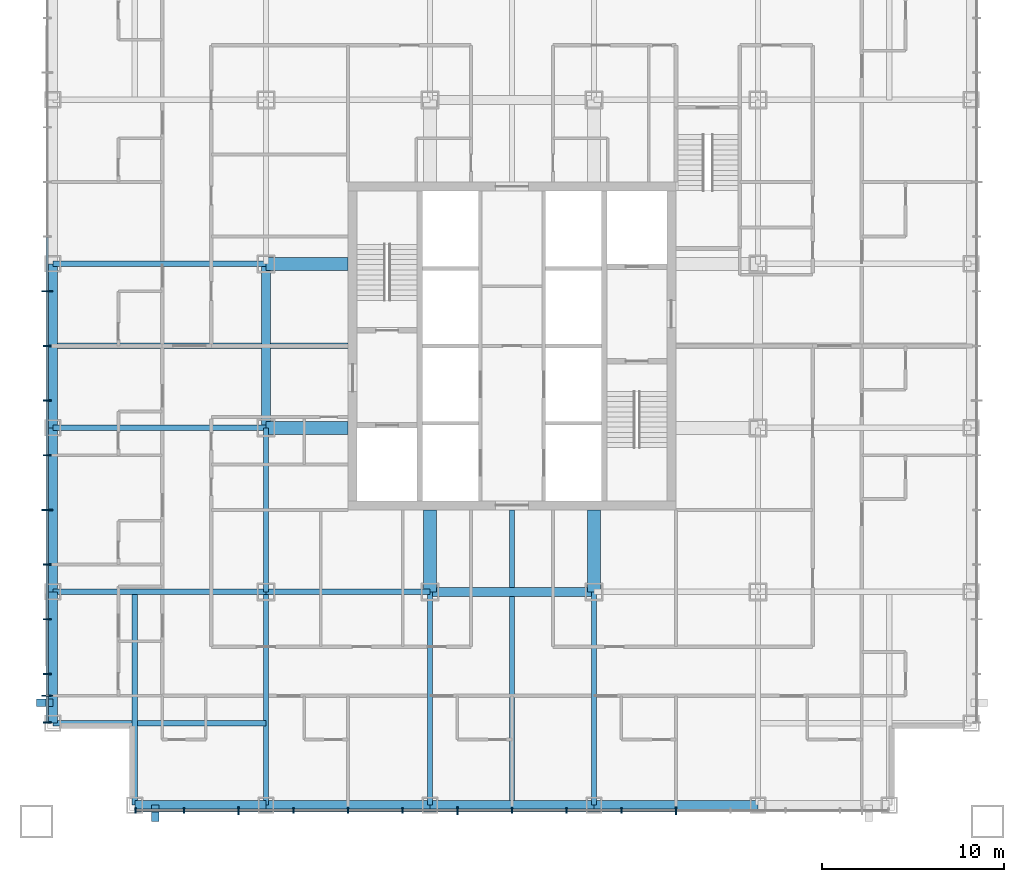
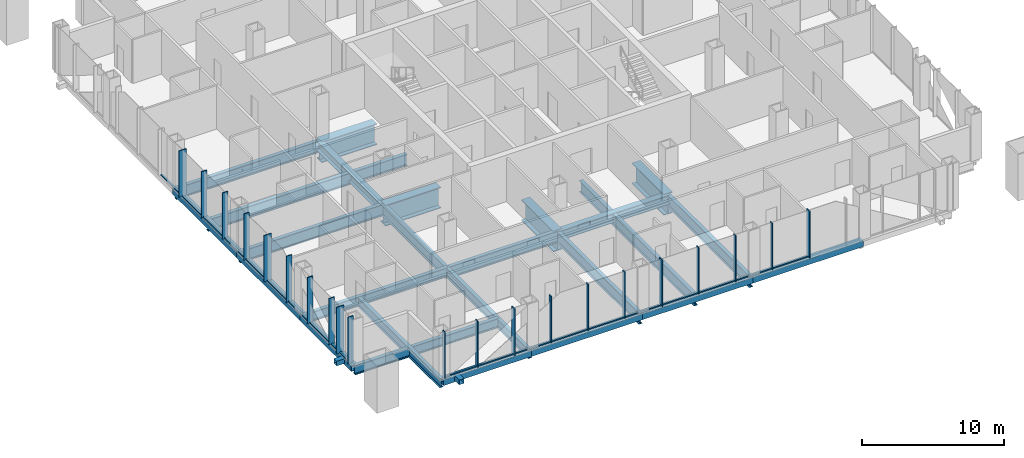
# One storey, part 2 of 13: 43 members, 25 beams, 2 elements without a shape of their own.
"""IFC4 building model written with IfcOpenShell, lengths in metres."""

from ifc_helpers import new_model, si_unit, direction, frame, origin, origin_2d, place, context, subcontext, project, spatial, rectangle, hollow_rectangle, i_section, extrude, material, layer, layer_set, material_profile, profile_set, type_object, element, aggregate, save


model = new_model("IFC4")

# Units and contexts
model_context = context("Model", 3, precision=1e-05, world=origin(), true_north=direction((0.0, 1.0)))
body_context = subcontext(model_context, "Body", "Model", "MODEL_VIEW")
ifc_project = project(units=[si_unit("LENGTHUNIT", "METRE"), si_unit("AREAUNIT", "SQUARE_METRE"), si_unit("VOLUMEUNIT", "CUBIC_METRE"), si_unit("PLANEANGLEUNIT", "RADIAN"), si_unit("MASSUNIT", "GRAM", prefix="KILO")], contexts=[model_context])

# Site, building, storey
site_placement = place(None, origin())
site = spatial("IfcSite", under=ifc_project, at=site_placement, CompositionType="ELEMENT")
building_placement = place(site_placement, origin())
building = spatial("IfcBuilding", under=site, at=building_placement, Name="Malebo Sky Hospital", CompositionType="ELEMENT")
storey_placement = place(building_placement, frame((0.0, 0.0, 67.0)))
storey = spatial("IfcBuildingStorey", under=building, at=storey_placement, Name="L15", CompositionType="ELEMENT", Elevation=67.0)

# Curtain wall, members
ifc_material_1 = material(Name="Anodised aluminium, natural silver", Category="aluminium")
ifc_layer_1 = layer(ifc_material_1, 0.25)
ifc_layer_set_1 = layer_set([ifc_layer_1], Name="WARD CURTAIN WALL EAST AND WEST")
curtain_wall_type_1 = type_object("IfcCurtainWallType", Name="WARD CURTAIN WALL EAST AND WEST", PredefinedType="NOTDEFINED", material=ifc_layer_set_1)
curtain_wall_1_placement = place(storey_placement, origin())
curtain_wall_1 = element("IfcCurtainWall", 1, at=curtain_wall_1_placement, inside=storey, type_object=curtain_wall_type_1, Name="EW curtain wall W", PredefinedType="NOTDEFINED")
ifc_material_profile_1 = material_profile(ifc_material_1, rectangle(XDim=0.14990234375, YDim=0.10009765625, at=origin_2d()), Name="ALUMINIUM TRANSOM 150x100")
ifc_profile_set_1 = profile_set([ifc_material_profile_1], Name="Anodised aluminium, natural silver")
member_type_1 = type_object("IfcMemberType", Name="ALUMINIUM TRANSOM 150x100", PredefinedType="USERDEFINED", material=ifc_profile_set_1)
member_1_placement = place(storey_placement, frame((34.5, 41.375, 0.050048828125), z_axis=(0.0, 1.0, 0.0), x_axis=(-1.0, 0.0, 0.0)))
member_1 = element("IfcMember", 2, at=member_1_placement, type_object=member_type_1, Name="Transom 1", ObjectType="TRANSOM", PredefinedType="USERDEFINED", context=body_context, shape_type="SweptSolid", body=[
    extrude(rectangle(XDim=0.14990234375, YDim=0.10009765625, at=origin_2d()), origin(), (0.0, 0.0, 1.0), 1.387451171875),
])
member_2_placement = place(storey_placement, frame((34.5, 42.83740234375, 0.050048828125), z_axis=(0.0, 1.0, 0.0), x_axis=(-1.0, 0.0, 0.0)))
member_2 = element("IfcMember", 3, at=member_2_placement, type_object=member_type_1, Name="Transom 2", ObjectType="TRANSOM", PredefinedType="USERDEFINED", context=body_context, shape_type="SweptSolid", body=[
    extrude(rectangle(XDim=0.14990234375, YDim=0.10009765625, at=origin_2d()), origin(), (0.0, 0.0, 1.0), 1.125),
])
member_3_placement = place(storey_placement, frame((34.5, 44.03759765625, 0.050048828125), z_axis=(0.0, 1.0, 0.0), x_axis=(-1.0, 0.0, 0.0)))
member_3 = element("IfcMember", 4, at=member_3_placement, type_object=member_type_1, Name="Transom 3", ObjectType="TRANSOM", PredefinedType="USERDEFINED", context=body_context, shape_type="SweptSolid", body=[
    extrude(rectangle(XDim=0.14990234375, YDim=0.10009765625, at=origin_2d()), origin(), (0.0, 0.0, 1.0), 2.9248046875),
])
member_4_placement = place(storey_placement, frame((34.5, 47.03759765625, 0.050048828125), z_axis=(0.0, 1.0, 0.0), x_axis=(-1.0, 0.0, 0.0)))
member_4 = element("IfcMember", 5, at=member_4_placement, type_object=member_type_1, Name="Transom 4", ObjectType="TRANSOM", PredefinedType="USERDEFINED", context=body_context, shape_type="SweptSolid", body=[
    extrude(rectangle(XDim=0.14990234375, YDim=0.10009765625, at=origin_2d()), origin(), (0.0, 0.0, 1.0), 2.9248046875),
])
member_5_placement = place(storey_placement, frame((34.5, 50.03759765625, 0.050048828125), z_axis=(0.0, 1.0, 0.0), x_axis=(-1.0, 0.0, 0.0)))
member_5 = element("IfcMember", 6, at=member_5_placement, type_object=member_type_1, Name="Transom 5", ObjectType="TRANSOM", PredefinedType="USERDEFINED", context=body_context, shape_type="SweptSolid", body=[
    extrude(rectangle(XDim=0.14990234375, YDim=0.10009765625, at=origin_2d()), origin(), (0.0, 0.0, 1.0), 2.9248046875),
])
member_6_placement = place(storey_placement, frame((34.5, 53.03759765625, 0.050048828125), z_axis=(0.0, 1.0, 0.0), x_axis=(-1.0, 0.0, 0.0)))
member_6 = element("IfcMember", 7, at=member_6_placement, type_object=member_type_1, Name="Transom 6", ObjectType="TRANSOM", PredefinedType="USERDEFINED", context=body_context, shape_type="SweptSolid", body=[
    extrude(rectangle(XDim=0.14990234375, YDim=0.10009765625, at=origin_2d()), origin(), (0.0, 0.0, 1.0), 2.9248046875),
])
member_7_placement = place(storey_placement, frame((34.5, 56.03759765625, 0.050048828125), z_axis=(0.0, 1.0, 0.0), x_axis=(-1.0, 0.0, 0.0)))
member_7 = element("IfcMember", 8, at=member_7_placement, type_object=member_type_1, Name="Transom 7", ObjectType="TRANSOM", PredefinedType="USERDEFINED", context=body_context, shape_type="SweptSolid", body=[
    extrude(rectangle(XDim=0.14990234375, YDim=0.10009765625, at=origin_2d()), origin(), (0.0, 0.0, 1.0), 2.9248046875),
])
member_8_placement = place(storey_placement, frame((34.5, 59.03759765625, 0.050048828125), z_axis=(0.0, 1.0, 0.0), x_axis=(-1.0, 0.0, 0.0)))
member_8 = element("IfcMember", 9, at=member_8_placement, type_object=member_type_1, Name="Transom 8", ObjectType="TRANSOM", PredefinedType="USERDEFINED", context=body_context, shape_type="SweptSolid", body=[
    extrude(rectangle(XDim=0.14990234375, YDim=0.10009765625, at=origin_2d()), origin(), (0.0, 0.0, 1.0), 2.9248046875),
])
member_9_placement = place(storey_placement, frame((34.5, 62.03759765625, 0.050048828125), z_axis=(0.0, 1.0, 0.0), x_axis=(-1.0, 0.0, 0.0)))
member_9 = element("IfcMember", 10, at=member_9_placement, type_object=member_type_1, Name="Transom 9", ObjectType="TRANSOM", PredefinedType="USERDEFINED", context=body_context, shape_type="SweptSolid", body=[
    extrude(rectangle(XDim=0.14990234375, YDim=0.10009765625, at=origin_2d()), origin(), (0.0, 0.0, 1.0), 2.9248046875),
])
member_10_placement = place(storey_placement, frame((34.5, 65.03759765625, 0.050048828125), z_axis=(0.0, 1.0, 0.0), x_axis=(-1.0, 0.0, 0.0)))
member_10 = element("IfcMember", 11, at=member_10_placement, type_object=member_type_1, Name="Transom 10", ObjectType="TRANSOM", PredefinedType="USERDEFINED", context=body_context, shape_type="SweptSolid", body=[
    extrude(rectangle(XDim=0.14990234375, YDim=0.10009765625, at=origin_2d()), origin(), (0.0, 0.0, 1.0), 2.9248046875),
])

ifc_layer_2 = layer(ifc_material_1, 0.25)
ifc_layer_set_2 = layer_set([ifc_layer_2], Name="WARD CURTAIN WALL NORTH AND SOUTH")
curtain_wall_type_2 = type_object("IfcCurtainWallType", Name="WARD CURTAIN WALL NORTH AND SOUTH", PredefinedType="NOTDEFINED", material=ifc_layer_set_2)
curtain_wall_2_placement = place(storey_placement, origin())
curtain_wall_2 = element("IfcCurtainWall", 12, at=curtain_wall_2_placement, inside=storey, type_object=curtain_wall_type_2, Name="NS curtain wall S", PredefinedType="NOTDEFINED")
member_11_placement = place(storey_placement, frame((68.96240234375, 36.5, 0.050048828125), z_axis=(-1.0, 0.0, 0.0), x_axis=(0.0, -1.0, 0.0)))
member_11 = element("IfcMember", 13, at=member_11_placement, type_object=member_type_1, Name="Transom 6", ObjectType="TRANSOM", PredefinedType="USERDEFINED", context=body_context, shape_type="SweptSolid", body=[
    extrude(rectangle(XDim=0.14990234375, YDim=0.10009765625, at=origin_2d()), origin(), (0.0, 0.0, 1.0), 2.9248046875),
])
member_12_placement = place(storey_placement, frame((65.96240234375, 36.5, 0.050048828125), z_axis=(-1.0, 0.0, 0.0), x_axis=(0.0, -1.0, 0.0)))
member_12 = element("IfcMember", 14, at=member_12_placement, type_object=member_type_1, Name="Transom 7", ObjectType="TRANSOM", PredefinedType="USERDEFINED", context=body_context, shape_type="SweptSolid", body=[
    extrude(rectangle(XDim=0.14990234375, YDim=0.10009765625, at=origin_2d()), origin(), (0.0, 0.0, 1.0), 2.9248046875),
])
member_13_placement = place(storey_placement, frame((62.96240234375, 36.5, 0.050048828125), z_axis=(-1.0, 0.0, 0.0), x_axis=(0.0, -1.0, 0.0)))
member_13 = element("IfcMember", 15, at=member_13_placement, type_object=member_type_1, Name="Transom 8", ObjectType="TRANSOM", PredefinedType="USERDEFINED", context=body_context, shape_type="SweptSolid", body=[
    extrude(rectangle(XDim=0.14990234375, YDim=0.10009765625, at=origin_2d()), origin(), (0.0, 0.0, 1.0), 2.9248046875),
])
member_14_placement = place(storey_placement, frame((59.96240234375, 36.5, 0.050048828125), z_axis=(-1.0, 0.0, 0.0), x_axis=(0.0, -1.0, 0.0)))
member_14 = element("IfcMember", 16, at=member_14_placement, type_object=member_type_1, Name="Transom 9", ObjectType="TRANSOM", PredefinedType="USERDEFINED", context=body_context, shape_type="SweptSolid", body=[
    extrude(rectangle(XDim=0.14990234375, YDim=0.10009765625, at=origin_2d()), origin(), (0.0, 0.0, 1.0), 2.9248046875),
])
member_15_placement = place(storey_placement, frame((56.96240234375, 36.5, 0.050048828125), z_axis=(-1.0, 0.0, 0.0), x_axis=(0.0, -1.0, 0.0)))
member_15 = element("IfcMember", 17, at=member_15_placement, type_object=member_type_1, Name="Transom 10", ObjectType="TRANSOM", PredefinedType="USERDEFINED", context=body_context, shape_type="SweptSolid", body=[
    extrude(rectangle(XDim=0.14990234375, YDim=0.10009765625, at=origin_2d()), origin(), (0.0, 0.0, 1.0), 2.9248046875),
])
member_16_placement = place(storey_placement, frame((53.96240234375, 36.5, 0.050048828125), z_axis=(-1.0, 0.0, 0.0), x_axis=(0.0, -1.0, 0.0)))
member_16 = element("IfcMember", 18, at=member_16_placement, type_object=member_type_1, Name="Transom 11", ObjectType="TRANSOM", PredefinedType="USERDEFINED", context=body_context, shape_type="SweptSolid", body=[
    extrude(rectangle(XDim=0.14990234375, YDim=0.10009765625, at=origin_2d()), origin(), (0.0, 0.0, 1.0), 2.9248046875),
])
member_17_placement = place(storey_placement, frame((50.96240234375, 36.5, 0.050048828125), z_axis=(-1.0, 0.0, 0.0), x_axis=(0.0, -1.0, 0.0)))
member_17 = element("IfcMember", 19, at=member_17_placement, type_object=member_type_1, Name="Transom 12", ObjectType="TRANSOM", PredefinedType="USERDEFINED", context=body_context, shape_type="SweptSolid", body=[
    extrude(rectangle(XDim=0.14990234375, YDim=0.10009765625, at=origin_2d()), origin(), (0.0, 0.0, 1.0), 2.9248046875),
])
member_18_placement = place(storey_placement, frame((47.96240234375, 36.5, 0.050048828125), z_axis=(-1.0, 0.0, 0.0), x_axis=(0.0, -1.0, 0.0)))
member_18 = element("IfcMember", 20, at=member_18_placement, type_object=member_type_1, Name="Transom 13", ObjectType="TRANSOM", PredefinedType="USERDEFINED", context=body_context, shape_type="SweptSolid", body=[
    extrude(rectangle(XDim=0.14990234375, YDim=0.10009765625, at=origin_2d()), origin(), (0.0, 0.0, 1.0), 2.9248046875),
])
member_19_placement = place(storey_placement, frame((44.96240234375, 36.5, 0.050048828125), z_axis=(-1.0, 0.0, 0.0), x_axis=(0.0, -1.0, 0.0)))
member_19 = element("IfcMember", 21, at=member_19_placement, type_object=member_type_1, Name="Transom 14", ObjectType="TRANSOM", PredefinedType="USERDEFINED", context=body_context, shape_type="SweptSolid", body=[
    extrude(rectangle(XDim=0.14990234375, YDim=0.10009765625, at=origin_2d()), origin(), (0.0, 0.0, 1.0), 2.9248046875),
])
member_20_placement = place(storey_placement, frame((41.96240234375, 36.5, 0.050048828125), z_axis=(-1.0, 0.0, 0.0), x_axis=(0.0, -1.0, 0.0)))
member_20 = element("IfcMember", 22, at=member_20_placement, type_object=member_type_1, Name="Transom 15", ObjectType="TRANSOM", PredefinedType="USERDEFINED", context=body_context, shape_type="SweptSolid", body=[
    extrude(rectangle(XDim=0.14990234375, YDim=0.10009765625, at=origin_2d()), origin(), (0.0, 0.0, 1.0), 2.58740234375),
])

# Members
ifc_material_2 = material(Name="Steel S355", Category="steel")
ifc_material_profile_2 = material_profile(ifc_material_2, hollow_rectangle(XDim=0.39990234375, YDim=0.39990234375, WallThickness=0.02001953125, at=origin_2d()), Name="SHS 400x20")
ifc_profile_set_2 = profile_set([ifc_material_profile_2], Name="Steel S355")
member_type_2 = type_object("IfcMemberType", Name="BRACE STRUT SHS 400x20", PredefinedType="STRUT", material=ifc_profile_set_2)
for number, where, z_axis, x_axis, name in (
    (23, (40.425048828125, 35.89990234375, -0.39990234375), (0.0, 1.0, 0.0), (-1.0, 0.0, 0.0), "Brace strut AS1 L15"),
    (24, (33.89990234375, 42.425048828125, -0.39990234375), (1.0, 0.0, 0.0), (0.0, 1.0, 0.0), "Brace strut AW2 L15"),
):
    element("IfcMember", number, at=place(storey_placement, frame(where, z_axis=z_axis, x_axis=x_axis)), inside=storey, type_object=member_type_2, Name=name, PredefinedType="STRUT", context=body_context, shape_type="SweptSolid", body=[
        extrude(hollow_rectangle(XDim=0.39990234375, YDim=0.39990234375, WallThickness=0.02001953125, at=origin_2d()), origin(), (0.0, 0.0, 1.0), 0.900146484375),
    ])

# Member
ifc_material_profile_3 = material_profile(ifc_material_1, rectangle(XDim=0.074951171875, YDim=0.300048828125, at=origin_2d()), Name="CW1 ALUMINIUM FIN MULLION 75x300")
ifc_profile_set_3 = profile_set([ifc_material_profile_3], Name="Anodised aluminium, natural silver")
member_type_3 = type_object("IfcMemberType", Name="CW1 ALUMINIUM FIN MULLION 75x300", PredefinedType="MULLION", material=ifc_profile_set_3)
member_21_placement = place(storey_placement, frame((66.0, 36.5, 0.0), z_axis=(0.0, 0.0, 1.0), x_axis=(-1.0, 0.0, 0.0)))
member_21 = element("IfcMember", 25, at=member_21_placement, type_object=member_type_3, Name="Fin mullion 7", PredefinedType="MULLION", context=body_context, shape_type="SweptSolid", body=[
    extrude(rectangle(XDim=0.074951171875, YDim=0.300048828125, at=origin_2d()), origin(), (0.0, 0.0, 1.0), 4.0),
])

member_22_placement = place(storey_placement, frame((63.0, 36.5, 0.0), z_axis=(0.0, 0.0, 1.0), x_axis=(-1.0, 0.0, 0.0)))
member_22 = element("IfcMember", 26, at=member_22_placement, type_object=member_type_3, Name="Fin mullion 8", PredefinedType="MULLION", context=body_context, shape_type="SweptSolid", body=[
    extrude(rectangle(XDim=0.074951171875, YDim=0.300048828125, at=origin_2d()), origin(), (0.0, 0.0, 1.0), 4.0),
])

member_23_placement = place(storey_placement, frame((60.0, 36.5, 0.0), z_axis=(0.0, 0.0, 1.0), x_axis=(-1.0, 0.0, 0.0)))
member_23 = element("IfcMember", 27, at=member_23_placement, type_object=member_type_3, Name="Fin mullion 9", PredefinedType="MULLION", context=body_context, shape_type="SweptSolid", body=[
    extrude(rectangle(XDim=0.074951171875, YDim=0.300048828125, at=origin_2d()), origin(), (0.0, 0.0, 1.0), 4.0),
])

member_24_placement = place(storey_placement, frame((54.0, 36.5, 0.0), z_axis=(0.0, 0.0, 1.0), x_axis=(-1.0, 0.0, 0.0)))
member_24 = element("IfcMember", 28, at=member_24_placement, type_object=member_type_3, Name="Fin mullion 11", PredefinedType="MULLION", context=body_context, shape_type="SweptSolid", body=[
    extrude(rectangle(XDim=0.074951171875, YDim=0.300048828125, at=origin_2d()), origin(), (0.0, 0.0, 1.0), 4.0),
])

member_25_placement = place(storey_placement, frame((51.0, 36.5, 0.0), z_axis=(0.0, 0.0, 1.0), x_axis=(-1.0, 0.0, 0.0)))
member_25 = element("IfcMember", 29, at=member_25_placement, type_object=member_type_3, Name="Fin mullion 12", PredefinedType="MULLION", context=body_context, shape_type="SweptSolid", body=[
    extrude(rectangle(XDim=0.074951171875, YDim=0.300048828125, at=origin_2d()), origin(), (0.0, 0.0, 1.0), 4.0),
])

member_26_placement = place(storey_placement, frame((48.0, 36.5, 0.0), z_axis=(0.0, 0.0, 1.0), x_axis=(-1.0, 0.0, 0.0)))
member_26 = element("IfcMember", 30, at=member_26_placement, type_object=member_type_3, Name="Fin mullion 13", PredefinedType="MULLION", context=body_context, shape_type="SweptSolid", body=[
    extrude(rectangle(XDim=0.074951171875, YDim=0.300048828125, at=origin_2d()), origin(), (0.0, 0.0, 1.0), 4.0),
])

member_27_placement = place(storey_placement, frame((42.0, 36.5, 0.0), z_axis=(0.0, 0.0, 1.0), x_axis=(-1.0, 0.0, 0.0)))
member_27 = element("IfcMember", 31, at=member_27_placement, type_object=member_type_3, Name="Fin mullion 15", PredefinedType="MULLION", context=body_context, shape_type="SweptSolid", body=[
    extrude(rectangle(XDim=0.074951171875, YDim=0.300048828125, at=origin_2d()), origin(), (0.0, 0.0, 1.0), 4.0),
])

member_28_placement = place(storey_placement, frame((39.33740234375, 36.5, 0.0), z_axis=(0.0, 0.0, 1.0), x_axis=(-1.0, 0.0, 0.0)))
member_28 = element("IfcMember", 32, at=member_28_placement, type_object=member_type_3, Name="Fin mullion 16", PredefinedType="MULLION", context=body_context, shape_type="SweptSolid", body=[
    extrude(rectangle(XDim=0.074951171875, YDim=0.300048828125, at=origin_2d()), origin(), (0.0, 0.0, 1.0), 4.0),
])

ifc_material_profile_4 = material_profile(ifc_material_1, rectangle(XDim=0.074951171875, YDim=0.449951171875, at=origin_2d()), Name="CW1 ALUMINIUM FIN MULLION 75x450")
ifc_profile_set_4 = profile_set([ifc_material_profile_4], Name="Anodised aluminium, natural silver")
member_type_4 = type_object("IfcMemberType", Name="CW1 ALUMINIUM FIN MULLION 75x450", PredefinedType="MULLION", material=ifc_profile_set_4)
member_29_placement = place(storey_placement, frame((69.0, 36.5, 0.0), z_axis=(0.0, 0.0, 1.0), x_axis=(-1.0, 0.0, 0.0)))
member_29 = element("IfcMember", 33, at=member_29_placement, type_object=member_type_4, Name="Fin mullion 6", PredefinedType="MULLION", context=body_context, shape_type="SweptSolid", body=[
    extrude(rectangle(XDim=0.074951171875, YDim=0.449951171875, at=origin_2d()), origin(), (0.0, 0.0, 1.0), 4.0),
])

member_30_placement = place(storey_placement, frame((57.0, 36.5, 0.0), z_axis=(0.0, 0.0, 1.0), x_axis=(-1.0, 0.0, 0.0)))
member_30 = element("IfcMember", 34, at=member_30_placement, type_object=member_type_4, Name="Fin mullion 10", PredefinedType="MULLION", context=body_context, shape_type="SweptSolid", body=[
    extrude(rectangle(XDim=0.074951171875, YDim=0.449951171875, at=origin_2d()), origin(), (0.0, 0.0, 1.0), 4.0),
])

member_31_placement = place(storey_placement, frame((45.0, 36.5, 0.0), z_axis=(0.0, 0.0, 1.0), x_axis=(-1.0, 0.0, 0.0)))
member_31 = element("IfcMember", 35, at=member_31_placement, type_object=member_type_4, Name="Fin mullion 14", PredefinedType="MULLION", context=body_context, shape_type="SweptSolid", body=[
    extrude(rectangle(XDim=0.074951171875, YDim=0.449951171875, at=origin_2d()), origin(), (0.0, 0.0, 1.0), 4.0),
])

aggregate(curtain_wall_2, [member_29, member_21, member_22, member_23, member_30, member_24, member_25, member_26, member_31, member_27, member_28, member_11, member_12, member_13, member_14, member_15, member_16, member_17, member_18, member_19, member_20])

ifc_material_profile_5 = material_profile(ifc_material_1, rectangle(XDim=0.074951171875, YDim=0.449951171875, at=origin_2d()), Name="CW2 ALUMINIUM FIN MULLION 75x450")
ifc_profile_set_5 = profile_set([ifc_material_profile_5], Name="Anodised aluminium, natural silver")
member_type_5 = type_object("IfcMemberType", Name="CW2 ALUMINIUM FIN MULLION 75x450", PredefinedType="MULLION", material=ifc_profile_set_5)
member_32_placement = place(storey_placement, frame((34.5, 41.33740234375, 0.0), z_axis=(0.0, 0.0, 1.0), x_axis=(0.0, 1.0, 0.0)))
member_32 = element("IfcMember", 36, at=member_32_placement, type_object=member_type_5, Name="Fin mullion 1", PredefinedType="MULLION", context=body_context, shape_type="SweptSolid", body=[
    extrude(rectangle(XDim=0.074951171875, YDim=0.449951171875, at=origin_2d()), origin(), (0.0, 0.0, 1.0), 4.0),
])

member_33_placement = place(storey_placement, frame((34.5, 44.0, 0.0), z_axis=(0.0, 0.0, 1.0), x_axis=(0.0, 1.0, 0.0)))
member_33 = element("IfcMember", 37, at=member_33_placement, type_object=member_type_5, Name="Fin mullion 3", PredefinedType="MULLION", context=body_context, shape_type="SweptSolid", body=[
    extrude(rectangle(XDim=0.074951171875, YDim=0.449951171875, at=origin_2d()), origin(), (0.0, 0.0, 1.0), 4.0),
])

member_34_placement = place(storey_placement, frame((34.5, 47.0, 0.0), z_axis=(0.0, 0.0, 1.0), x_axis=(0.0, 1.0, 0.0)))
member_34 = element("IfcMember", 38, at=member_34_placement, type_object=member_type_5, Name="Fin mullion 4", PredefinedType="MULLION", context=body_context, shape_type="SweptSolid", body=[
    extrude(rectangle(XDim=0.074951171875, YDim=0.449951171875, at=origin_2d()), origin(), (0.0, 0.0, 1.0), 4.0),
])

member_35_placement = place(storey_placement, frame((34.5, 50.0, 0.0), z_axis=(0.0, 0.0, 1.0), x_axis=(0.0, 1.0, 0.0)))
member_35 = element("IfcMember", 39, at=member_35_placement, type_object=member_type_5, Name="Fin mullion 5", PredefinedType="MULLION", context=body_context, shape_type="SweptSolid", body=[
    extrude(rectangle(XDim=0.074951171875, YDim=0.449951171875, at=origin_2d()), origin(), (0.0, 0.0, 1.0), 4.0),
])

member_36_placement = place(storey_placement, frame((34.5, 56.0, 0.0), z_axis=(0.0, 0.0, 1.0), x_axis=(0.0, 1.0, 0.0)))
member_36 = element("IfcMember", 40, at=member_36_placement, type_object=member_type_5, Name="Fin mullion 7", PredefinedType="MULLION", context=body_context, shape_type="SweptSolid", body=[
    extrude(rectangle(XDim=0.074951171875, YDim=0.449951171875, at=origin_2d()), origin(), (0.0, 0.0, 1.0), 4.0),
])

member_37_placement = place(storey_placement, frame((34.5, 59.0, 0.0), z_axis=(0.0, 0.0, 1.0), x_axis=(0.0, 1.0, 0.0)))
member_37 = element("IfcMember", 41, at=member_37_placement, type_object=member_type_5, Name="Fin mullion 8", PredefinedType="MULLION", context=body_context, shape_type="SweptSolid", body=[
    extrude(rectangle(XDim=0.074951171875, YDim=0.449951171875, at=origin_2d()), origin(), (0.0, 0.0, 1.0), 4.0),
])

member_38_placement = place(storey_placement, frame((34.5, 62.0, 0.0), z_axis=(0.0, 0.0, 1.0), x_axis=(0.0, 1.0, 0.0)))
member_38 = element("IfcMember", 42, at=member_38_placement, type_object=member_type_5, Name="Fin mullion 9", PredefinedType="MULLION", context=body_context, shape_type="SweptSolid", body=[
    extrude(rectangle(XDim=0.074951171875, YDim=0.449951171875, at=origin_2d()), origin(), (0.0, 0.0, 1.0), 4.0),
])

ifc_material_profile_6 = material_profile(ifc_material_1, rectangle(XDim=0.074951171875, YDim=0.60009765625, at=origin_2d()), Name="CW2 ALUMINIUM FIN MULLION 75x600")
ifc_profile_set_6 = profile_set([ifc_material_profile_6], Name="Anodised aluminium, natural silver")
member_type_6 = type_object("IfcMemberType", Name="CW2 ALUMINIUM FIN MULLION 75x600", PredefinedType="MULLION", material=ifc_profile_set_6)
member_39_placement = place(storey_placement, frame((34.5, 42.800048828125, 0.0), z_axis=(0.0, 0.0, 1.0), x_axis=(0.0, 1.0, 0.0)))
member_39 = element("IfcMember", 43, at=member_39_placement, type_object=member_type_6, Name="Fin mullion 2", PredefinedType="MULLION", context=body_context, shape_type="SweptSolid", body=[
    extrude(rectangle(XDim=0.074951171875, YDim=0.60009765625, at=origin_2d()), origin(), (0.0, 0.0, 1.0), 4.0),
])

member_40_placement = place(storey_placement, frame((34.5, 53.0, 0.0), z_axis=(0.0, 0.0, 1.0), x_axis=(0.0, 1.0, 0.0)))
member_40 = element("IfcMember", 44, at=member_40_placement, type_object=member_type_6, Name="Fin mullion 6", PredefinedType="MULLION", context=body_context, shape_type="SweptSolid", body=[
    extrude(rectangle(XDim=0.074951171875, YDim=0.60009765625, at=origin_2d()), origin(), (0.0, 0.0, 1.0), 4.0),
])

member_41_placement = place(storey_placement, frame((34.5, 65.0, 0.0), z_axis=(0.0, 0.0, 1.0), x_axis=(0.0, 1.0, 0.0)))
member_41 = element("IfcMember", 45, at=member_41_placement, type_object=member_type_6, Name="Fin mullion 10", PredefinedType="MULLION", context=body_context, shape_type="SweptSolid", body=[
    extrude(rectangle(XDim=0.074951171875, YDim=0.60009765625, at=origin_2d()), origin(), (0.0, 0.0, 1.0), 4.0),
])

aggregate(curtain_wall_1, [member_32, member_39, member_33, member_34, member_35, member_40, member_36, member_37, member_38, member_41, member_1, member_2, member_3, member_4, member_5, member_6, member_7, member_8, member_9, member_10])

# Beams
ifc_material_3 = material(Name="Steel S460", Category="steel")
ifc_material_profile_7 = material_profile(ifc_material_3, hollow_rectangle(XDim=0.5, YDim=0.5, WallThickness=0.030029296875, at=origin_2d()), Name="BOX 500x500x30")
ifc_profile_set_7 = profile_set([ifc_material_profile_7], Name="Steel S460")
beam_type_1 = type_object("IfcBeamType", Name="EDGE BEAM BOX 500x500x30", PredefinedType="BEAM", material=ifc_profile_set_7)
beam_1_placement = place(storey_placement, frame((34.800048828125, 41.300048828125, -0.5), z_axis=(0.0, 1.0, 0.0), x_axis=(-1.0, 0.0, 0.0)))
element("IfcBeam", 46, at=beam_1_placement, inside=storey, type_object=beam_type_1, Name="Beam 000 L15", PredefinedType="BEAM", context=body_context, shape_type="SweptSolid", body=[
    extrude(hollow_rectangle(XDim=0.5, YDim=0.5, WallThickness=0.030029296875, at=origin_2d()), origin(), (0.0, 0.0, 1.0), 7.199951171875),
])
for number, where, z_axis, x_axis, name in (
    (47, (34.800048828125, 48.5, -0.5), (0.0, 1.0, 0.0), (-1.0, 0.0, 0.0), "Beam 001 L15"),
    (48, (34.800048828125, 57.5, -0.5), (0.0, 1.0, 0.0), (-1.0, 0.0, 0.0), "Beam 002 L15"),
):
    element("IfcBeam", number, at=place(storey_placement, frame(where, z_axis=z_axis, x_axis=x_axis)), inside=storey, type_object=beam_type_1, Name=name, PredefinedType="BEAM", context=body_context, shape_type="SweptSolid", body=[
        extrude(hollow_rectangle(XDim=0.5, YDim=0.5, WallThickness=0.030029296875, at=origin_2d()), origin(), (0.0, 0.0, 1.0), 9.0),
    ])
beam_2_placement = place(storey_placement, frame((39.300048828125, 36.800048828125, -0.5), z_axis=(1.0, 0.0, 0.0), x_axis=(0.0, 1.0, 0.0)))
element("IfcBeam", 49, at=beam_2_placement, inside=storey, type_object=beam_type_1, Name="Beam 034 L15", PredefinedType="BEAM", context=body_context, shape_type="SweptSolid", body=[
    extrude(hollow_rectangle(XDim=0.5, YDim=0.5, WallThickness=0.030029296875, at=origin_2d()), origin(), (0.0, 0.0, 1.0), 7.199951171875),
])
for number, where, z_axis, x_axis, name in (
    (50, (46.5, 36.800048828125, -0.5), (1.0, 0.0, 0.0), (0.0, 1.0, 0.0), "Beam 035 L15"),
    (51, (55.5, 36.800048828125, -0.5), (1.0, 0.0, 0.0), (0.0, 1.0, 0.0), "Beam 036 L15"),
    (52, (64.5, 36.800048828125, -0.5), (1.0, 0.0, 0.0), (0.0, 1.0, 0.0), "Beam 037 L15"),
):
    element("IfcBeam", number, at=place(storey_placement, frame(where, z_axis=z_axis, x_axis=x_axis)), inside=storey, type_object=beam_type_1, Name=name, PredefinedType="BEAM", context=body_context, shape_type="SweptSolid", body=[
        extrude(hollow_rectangle(XDim=0.5, YDim=0.5, WallThickness=0.030029296875, at=origin_2d()), origin(), (0.0, 0.0, 1.0), 9.0),
    ])
ifc_material_profile_8 = material_profile(ifc_material_2, i_section(OverallWidth=0.300048828125, OverallDepth=1.0, WebThickness=0.01904296875, FlangeThickness=0.035888671875, FilletRadius=0.030029296875, at=origin_2d()), Name="HEB 1000")
ifc_profile_set_8 = profile_set([ifc_material_profile_8], Name="Steel S355")
beam_type_2 = type_object("IfcBeamType", Name="FLOOR BEAM HEB 1000", PredefinedType="BEAM", material=ifc_profile_set_8)
beam_3_placement = place(storey_placement, frame((46.5, 48.5, -0.75), z_axis=(0.0, 1.0, 0.0), x_axis=(-1.0, 0.0, 0.0)))
element("IfcBeam", 53, at=beam_3_placement, inside=storey, type_object=beam_type_2, Name="Beam 008 L15", PredefinedType="BEAM", context=body_context, shape_type="SweptSolid", body=[
    extrude(i_section(OverallWidth=0.300048828125, OverallDepth=1.0, WebThickness=0.01904296875, FlangeThickness=0.035888671875, FilletRadius=0.030029296875, at=origin_2d()), origin(), (0.0, 0.0, 1.0), 9.0),
])
beam_4_placement = place(storey_placement, frame((55.5, 36.800048828125, -0.75), z_axis=(0.0, 1.0, 0.0), x_axis=(-1.0, 0.0, 0.0)))
element("IfcBeam", 54, at=beam_4_placement, inside=storey, type_object=beam_type_2, Name="Beam 012 L15", PredefinedType="BEAM", context=body_context, shape_type="SweptSolid", body=[
    extrude(i_section(OverallWidth=0.300048828125, OverallDepth=1.0, WebThickness=0.01904296875, FlangeThickness=0.035888671875, FilletRadius=0.030029296875, at=origin_2d()), origin(), (0.0, 0.0, 1.0), 11.699951171875),
])
beam_5_placement = place(storey_placement, frame((60.0, 36.800048828125, -0.75), z_axis=(0.0, 1.0, 0.0), x_axis=(-1.0, 0.0, 0.0)))
element("IfcBeam", 55, at=beam_5_placement, inside=storey, type_object=beam_type_2, Name="Beam 016 L15", PredefinedType="BEAM", context=body_context, shape_type="SweptSolid", body=[
    extrude(i_section(OverallWidth=0.300048828125, OverallDepth=1.0, WebThickness=0.01904296875, FlangeThickness=0.035888671875, FilletRadius=0.030029296875, at=origin_2d()), origin(), (0.0, 0.0, 1.0), 16.199951171875),
])
beam_6_placement = place(storey_placement, frame((64.5, 36.800048828125, -0.75), z_axis=(0.0, 1.0, 0.0), x_axis=(-1.0, 0.0, 0.0)))
element("IfcBeam", 56, at=beam_6_placement, inside=storey, type_object=beam_type_2, Name="Beam 018 L15", PredefinedType="BEAM", context=body_context, shape_type="SweptSolid", body=[
    extrude(i_section(OverallWidth=0.300048828125, OverallDepth=1.0, WebThickness=0.01904296875, FlangeThickness=0.035888671875, FilletRadius=0.030029296875, at=origin_2d()), origin(), (0.0, 0.0, 1.0), 11.699951171875),
])
beam_7_placement = place(storey_placement, frame((46.5, 48.5, -0.75), z_axis=(1.0, 0.0, 0.0), x_axis=(0.0, 1.0, 0.0)))
element("IfcBeam", 57, at=beam_7_placement, inside=storey, type_object=beam_type_2, Name="Beam 042 L15", PredefinedType="BEAM", context=body_context, shape_type="SweptSolid", body=[
    extrude(i_section(OverallWidth=0.300048828125, OverallDepth=1.0, WebThickness=0.01904296875, FlangeThickness=0.035888671875, FilletRadius=0.030029296875, at=origin_2d()), origin(), (0.0, 0.0, 1.0), 9.0),
])
beam_8_placement = place(storey_placement, frame((34.800048828125, 57.5, -0.75), z_axis=(1.0, 0.0, 0.0), x_axis=(0.0, 1.0, 0.0)))
element("IfcBeam", 58, at=beam_8_placement, inside=storey, type_object=beam_type_2, Name="Beam 046 L15", PredefinedType="BEAM", context=body_context, shape_type="SweptSolid", body=[
    extrude(i_section(OverallWidth=0.300048828125, OverallDepth=1.0, WebThickness=0.01904296875, FlangeThickness=0.035888671875, FilletRadius=0.030029296875, at=origin_2d()), origin(), (0.0, 0.0, 1.0), 11.699951171875),
])
beam_9_placement = place(storey_placement, frame((34.800048828125, 62.0, -0.75), z_axis=(1.0, 0.0, 0.0), x_axis=(0.0, 1.0, 0.0)))
element("IfcBeam", 59, at=beam_9_placement, inside=storey, type_object=beam_type_2, Name="Beam 050 L15", PredefinedType="BEAM", context=body_context, shape_type="SweptSolid", body=[
    extrude(i_section(OverallWidth=0.300048828125, OverallDepth=1.0, WebThickness=0.01904296875, FlangeThickness=0.035888671875, FilletRadius=0.030029296875, at=origin_2d()), origin(), (0.0, 0.0, 1.0), 16.199951171875),
])
beam_10_placement = place(storey_placement, frame((34.800048828125, 66.5, -0.75), z_axis=(1.0, 0.0, 0.0), x_axis=(0.0, 1.0, 0.0)))
element("IfcBeam", 60, at=beam_10_placement, inside=storey, type_object=beam_type_2, Name="Beam 052 L15", PredefinedType="BEAM", context=body_context, shape_type="SweptSolid", body=[
    extrude(i_section(OverallWidth=0.300048828125, OverallDepth=1.0, WebThickness=0.01904296875, FlangeThickness=0.035888671875, FilletRadius=0.030029296875, at=origin_2d()), origin(), (0.0, 0.0, 1.0), 11.699951171875),
])
ifc_material_profile_9 = material_profile(ifc_material_2, i_section(OverallWidth=0.300048828125, OverallDepth=0.800048828125, WebThickness=0.017578125, FlangeThickness=0.032958984375, FilletRadius=0.030029296875, at=origin_2d()), Name="HEB 800")
ifc_profile_set_9 = profile_set([ifc_material_profile_9], Name="Steel S355")
beam_type_3 = type_object("IfcBeamType", Name="FLOOR BEAM HEB 800", PredefinedType="BEAM", material=ifc_profile_set_9)
for number, where, z_axis, x_axis, name in (
    (61, (39.300048828125, 36.800048828125, -0.64990234375), (0.0, 1.0, 0.0), (-1.0, 0.0, 0.0), "Beam 005 L15"),
    (62, (34.800048828125, 41.300048828125, -0.64990234375), (1.0, 0.0, 0.0), (0.0, 1.0, 0.0), "Beam 039 L15"),
):
    element("IfcBeam", number, at=place(storey_placement, frame(where, z_axis=z_axis, x_axis=x_axis)), inside=storey, type_object=beam_type_3, Name=name, PredefinedType="BEAM", context=body_context, shape_type="SweptSolid", body=[
        extrude(i_section(OverallWidth=0.300048828125, OverallDepth=0.800048828125, WebThickness=0.017578125, FlangeThickness=0.032958984375, FilletRadius=0.030029296875, at=origin_2d()), origin(), (0.0, 0.0, 1.0), 11.699951171875),
    ])
ifc_material_profile_10 = material_profile(ifc_material_2, i_section(OverallWidth=0.699951171875, OverallDepth=1.800048828125, WebThickness=0.034912109375, FlangeThickness=0.070068359375, at=origin_2d()), Name="PG 1800x700x35x70")
ifc_profile_set_10 = profile_set([ifc_material_profile_10], Name="Steel S355")
beam_type_4 = type_object("IfcBeamType", Name="FLOOR BEAM PG 1800x700x35x70", PredefinedType="BEAM", material=ifc_profile_set_10)
for number, where, z_axis, x_axis, name in (
    (63, (55.5, 48.5, -1.14990234375), (0.0, 1.0, 0.0), (-1.0, 0.0, 0.0), "Beam 013 L15"),
    (64, (64.5, 48.5, -1.14990234375), (0.0, 1.0, 0.0), (-1.0, 0.0, 0.0), "Beam 019 L15"),
    (65, (46.5, 57.5, -1.14990234375), (1.0, 0.0, 0.0), (0.0, 1.0, 0.0), "Beam 047 L15"),
    (66, (46.5, 66.5, -1.14990234375), (1.0, 0.0, 0.0), (0.0, 1.0, 0.0), "Beam 053 L15"),
):
    element("IfcBeam", number, at=place(storey_placement, frame(where, z_axis=z_axis, x_axis=x_axis)), inside=storey, type_object=beam_type_4, Name=name, PredefinedType="BEAM", context=body_context, shape_type="SweptSolid", body=[
        extrude(i_section(OverallWidth=0.699951171875, OverallDepth=1.800048828125, WebThickness=0.034912109375, FlangeThickness=0.070068359375, at=origin_2d()), origin(), (0.0, 0.0, 1.0), 4.5),
    ])
ifc_material_profile_11 = material_profile(ifc_material_2, i_section(OverallWidth=0.300048828125, OverallDepth=0.800048828125, WebThickness=0.017578125, FlangeThickness=0.032958984375, FilletRadius=0.030029296875, at=origin_2d()), Name="HEB 800")
ifc_profile_set_11 = profile_set([ifc_material_profile_11], Name="Steel S355")
beam_type_5 = type_object("IfcBeamType", Name="FLOOR GIRDER HEB 800", PredefinedType="BEAM", material=ifc_profile_set_11)
for number, where, z_axis, x_axis, name in (
    (67, (46.5, 36.800048828125, -0.64990234375), (0.0, 1.0, 0.0), (-1.0, 0.0, 0.0), "Beam 007 L15"),
    (68, (34.800048828125, 48.5, -0.64990234375), (1.0, 0.0, 0.0), (0.0, 1.0, 0.0), "Beam 041 L15"),
):
    element("IfcBeam", number, at=place(storey_placement, frame(where, z_axis=z_axis, x_axis=x_axis)), inside=storey, type_object=beam_type_5, Name=name, PredefinedType="BEAM", context=body_context, shape_type="SweptSolid", body=[
        extrude(i_section(OverallWidth=0.300048828125, OverallDepth=0.800048828125, WebThickness=0.017578125, FlangeThickness=0.032958984375, FilletRadius=0.030029296875, at=origin_2d()), origin(), (0.0, 0.0, 1.0), 11.699951171875),
    ])
ifc_material_profile_12 = material_profile(ifc_material_2, i_section(OverallWidth=0.5, OverallDepth=0.800048828125, WebThickness=0.030029296875, FlangeThickness=0.050048828125, at=origin_2d()), Name="PG 800x500x30x50")
ifc_profile_set_12 = profile_set([ifc_material_profile_12], Name="Steel S355")
beam_type_6 = type_object("IfcBeamType", Name="RING GIRDER PG 800x500x30x50", PredefinedType="BEAM", material=ifc_profile_set_12)
for number, where, z_axis, x_axis, name in (
    (69, (46.5, 57.5, -0.64990234375), (0.0, 1.0, 0.0), (-1.0, 0.0, 0.0), "Beam 009 L15"),
    (70, (55.5, 48.5, -0.64990234375), (1.0, 0.0, 0.0), (0.0, 1.0, 0.0), "Beam 043 L15"),
):
    element("IfcBeam", number, at=place(storey_placement, frame(where, z_axis=z_axis, x_axis=x_axis)), inside=storey, type_object=beam_type_6, Name=name, PredefinedType="BEAM", context=body_context, shape_type="SweptSolid", body=[
        extrude(i_section(OverallWidth=0.5, OverallDepth=0.800048828125, WebThickness=0.030029296875, FlangeThickness=0.050048828125, at=origin_2d()), origin(), (0.0, 0.0, 1.0), 9.0),
    ])

save(model, "model.ifc")
